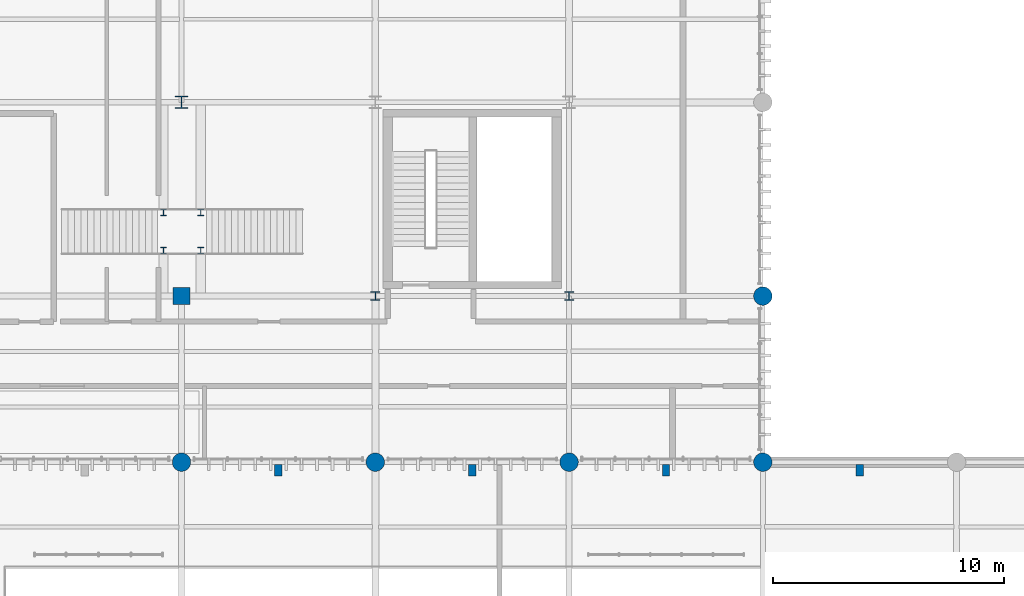
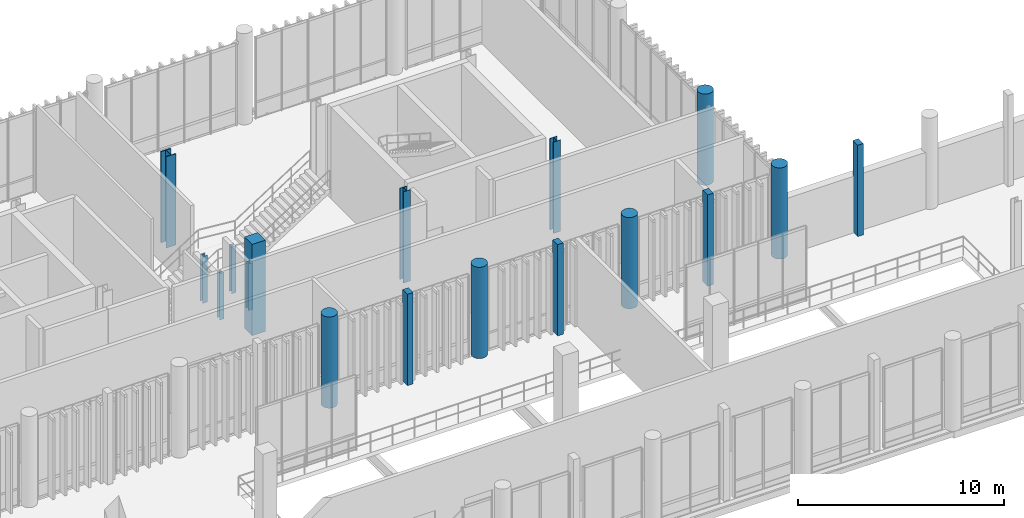
# One storey, part 7 of 128: 17 columns.
"""IFC4 building model written with IfcOpenShell, lengths in metres."""

from ifc_helpers import new_model, si_unit, direction, frame, origin_with_axes, origin_2d_with_axis, place, context, subcontext, project, spatial, rectangle, circle, i_section, extrude, material, material_profile, profile_set, type_object, element, save


model = new_model("IFC4")

# Units and contexts
model_context = context("Model", 3, precision=1e-05, world=origin_with_axes(), true_north=direction((0.0, 1.0)))
body_context = subcontext(model_context, "Body", "Model", "MODEL_VIEW")
ifc_project = project(units=[si_unit("LENGTHUNIT", "METRE"), si_unit("AREAUNIT", "SQUARE_METRE"), si_unit("VOLUMEUNIT", "CUBIC_METRE"), si_unit("PLANEANGLEUNIT", "RADIAN"), si_unit("MASSUNIT", "GRAM", prefix="KILO"), si_unit("THERMODYNAMICTEMPERATUREUNIT", "KELVIN")], contexts=[model_context])

# Site, building, storey
site_placement = place(None, origin_with_axes())
site = spatial("IfcSite", under=ifc_project, at=site_placement, CompositionType="ELEMENT")
building_placement = place(site_placement, origin_with_axes())
building = spatial("IfcBuilding", under=site, at=building_placement, Name="Montbau Bow Law Courts", CompositionType="ELEMENT")
storey_placement = place(building_placement, frame((0.0, 0.0, 5.4), z_axis=(0.0, 0.0, 1.0), x_axis=(1.0, 0.0, 0.0)))
storey = spatial("IfcBuildingStorey", under=building, at=storey_placement, Name="L01", CompositionType="ELEMENT", Elevation=5.4)

# Columns
ifc_material_1 = material(Name="Concrete CSA A23.1 f'c 40 MPa", Category="concrete")
ifc_material_profile_1 = material_profile(ifc_material_1, rectangle(XDim=0.32, YDim=0.48, at=origin_2d_with_axis()), Name="RC480X320", Category="Main", Priority=0)
ifc_profile_set_1 = profile_set([ifc_material_profile_1], Name="Concrete CSA A23.1 f'c 40 MPa")
column_type_1 = type_object("IfcColumnType", Name="C-PIL-02", PredefinedType="PILASTER", material=ifc_profile_set_1)
for number, where, z_axis, x_axis, name in (
    (1, (76.2, 38.65, 5.4), (0.0, 0.0, 1.0), (1.0, 0.0, 0.0), "PL-L01-S12:pil2_0036"),
    (2, (84.6, 38.65, 5.4), (0.0, 0.0, 1.0), (1.0, 0.0, 0.0), "PL-L01-S13:pil2_0039"),
    (3, (93.0, 38.65, 5.4), (0.0, 0.0, 1.0), (1.0, 0.0, 0.0), "PL-L01-S14:pil2_0042"),
    (4, (101.4, 38.65, 5.4), (0.0, 0.0, 1.0), (1.0, 0.0, 0.0), "PL-L01-S15:pil2_0045"),
):
    element("IfcColumn", number, at=place(None, frame(where, z_axis=z_axis, x_axis=x_axis)), inside=storey, type_object=column_type_1, Name=name, PredefinedType="PILASTER", context=body_context, shape_type="SweptSolid", body=[
        extrude(rectangle(XDim=0.32, YDim=0.48, at=origin_2d_with_axis()), origin_with_axes(), (0.0, 0.0, 1.0), 5.4),
    ])
ifc_material_profile_2 = material_profile(ifc_material_1, rectangle(XDim=0.75, YDim=0.75, at=origin_2d_with_axis()), Name="RC750X750", Category="Main", Priority=0)
ifc_profile_set_2 = profile_set([ifc_material_profile_2], Name="Concrete CSA A23.1 f'c 40 MPa")
column_type_2 = type_object("IfcColumnType", Name="C-RC-03", PredefinedType="COLUMN", material=ifc_profile_set_2)
column_1_placement = place(None, frame((72.0, 46.2, 5.4), z_axis=(0.0, 0.0, 1.0), x_axis=(1.0, 0.0, 0.0)))
element("IfcColumn", 5, at=column_1_placement, inside=storey, type_object=column_type_2, Name="C-L01-S0413:col2_0413", PredefinedType="COLUMN", context=body_context, shape_type="SweptSolid", body=[
    extrude(rectangle(XDim=0.75, YDim=0.75, at=origin_2d_with_axis()), origin_with_axes(), (0.0, 0.0, 1.0), 5.4),
])
ifc_material_profile_3 = material_profile(ifc_material_1, circle(Radius=0.4, at=origin_2d_with_axis()), Name="RC800D", Category="Main", Priority=0)
ifc_profile_set_3 = profile_set([ifc_material_profile_3], Name="Concrete CSA A23.1 f'c 40 MPa")
column_type_3 = type_object("IfcColumnType", Name="C-RC-07", PredefinedType="COLUMN", material=ifc_profile_set_3)
for number, where, z_axis, x_axis, name in (
    (6, (72.0, 39.0, 5.4), (0.0, 0.0, 1.0), (1.0, 0.0, 0.0), "C-L01-S0412:col2_0412"),
    (7, (80.4, 39.0, 5.4), (0.0, 0.0, 1.0), (1.0, 0.0, 0.0), "C-L01-S0418:col2_0418"),
    (8, (88.8, 39.0, 5.4), (0.0, 0.0, 1.0), (1.0, 0.0, 0.0), "C-L01-S0424:col2_0424"),
    (9, (97.2, 39.0, 5.4), (0.0, 0.0, 1.0), (1.0, 0.0, 0.0), "C-L01-S0429:col2_0429"),
    (10, (97.2, 46.2, 5.4), (0.0, 0.0, 1.0), (1.0, 0.0, 0.0), "C-L01-S0430:col2_0430"),
):
    element("IfcColumn", number, at=place(None, frame(where, z_axis=z_axis, x_axis=x_axis)), inside=storey, type_object=column_type_3, Name=name, PredefinedType="COLUMN", context=body_context, shape_type="SweptSolid", body=[
        extrude(circle(Radius=0.4, at=origin_2d_with_axis()), origin_with_axes(), (0.0, 0.0, 1.0), 5.4),
    ])
ifc_material_2 = material(Name="Steel CSA G40.21 Grade 350W (350 MPa)", Category="steel")
ifc_material_profile_4 = material_profile(ifc_material_2, i_section(OverallWidth=0.55, OverallDepth=0.55, WebThickness=0.025, FlangeThickness=0.042, at=origin_2d_with_axis()), Name="WWF550X420", Category="Main", Priority=0)
ifc_profile_set_4 = profile_set([ifc_material_profile_4], Name="Steel CSA G40.21 Grade 350W (350 MPa)")
column_type_4 = type_object("IfcColumnType", Name="C-STL-01", PredefinedType="COLUMN", material=ifc_profile_set_4)
column_2_placement = place(None, frame((72.0, 54.6, 5.4), z_axis=(0.0, 0.0, 1.0), x_axis=(1.0, 0.0, 0.0)))
element("IfcColumn", 11, at=column_2_placement, inside=storey, type_object=column_type_4, Name="C-L01-S0414:col2_0414", PredefinedType="COLUMN", context=body_context, shape_type="SweptSolid", body=[
    extrude(i_section(OverallWidth=0.55, OverallDepth=0.55, WebThickness=0.025, FlangeThickness=0.042, at=origin_2d_with_axis()), origin_with_axes(), (0.0, 0.0, 1.0), 5.4),
])
ifc_material_profile_5 = material_profile(ifc_material_2, i_section(OverallWidth=0.395, OverallDepth=0.38, WebThickness=0.0189, FlangeThickness=0.0302, at=origin_2d_with_axis()), Name="W360X237", Category="Main", Priority=0)
ifc_profile_set_5 = profile_set([ifc_material_profile_5], Name="Steel CSA G40.21 Grade 350W (350 MPa)")
column_type_5 = type_object("IfcColumnType", Name="C-STL-03", PredefinedType="COLUMN", material=ifc_profile_set_5)
for number, where, z_axis, x_axis, name in (
    (12, (80.4, 46.2, 5.4), (0.0, 0.0, 1.0), (1.0, 0.0, 0.0), "C-L01-S0419:col2_0419"),
    (13, (88.8, 46.2, 5.4), (0.0, 0.0, 1.0), (1.0, 0.0, 0.0), "C-L01-S0425:col2_0425"),
):
    element("IfcColumn", number, at=place(None, frame(where, z_axis=z_axis, x_axis=x_axis)), inside=storey, type_object=column_type_5, Name=name, PredefinedType="COLUMN", context=body_context, shape_type="SweptSolid", body=[
        extrude(i_section(OverallWidth=0.395, OverallDepth=0.38, WebThickness=0.0189, FlangeThickness=0.0302, at=origin_2d_with_axis()), origin_with_axes(), (0.0, 0.0, 1.0), 5.4),
    ])
ifc_material_profile_6 = material_profile(ifc_material_2, i_section(OverallWidth=0.256, OverallDepth=0.26, WebThickness=0.0107, FlangeThickness=0.0173, at=origin_2d_with_axis()), Name="W250X89", Category="Main", Priority=0)
ifc_profile_set_6 = profile_set([ifc_material_profile_6], Name="Steel CSA G40.21 Grade 350W (350 MPa)")
column_type_6 = type_object("IfcColumnType", Name="C-STL-08", PredefinedType="COLUMN", material=ifc_profile_set_6)
for number, where, z_axis, x_axis, name in (
    (14, (71.22, 48.18, 5.16), (0.0, 0.0, 1.0), (1.0, 0.0, 0.0), "C-ST-L01-29:col2_1148"),
    (15, (71.22, 49.82, 5.16), (0.0, 0.0, 1.0), (1.0, 0.0, 0.0), "C-ST-L01-30:col2_1149"),
    (16, (72.83, 48.18, 5.16), (0.0, 0.0, 1.0), (1.0, 0.0, 0.0), "C-ST-L01-31:col2_1150"),
    (17, (72.83, 49.82, 5.16), (0.0, 0.0, 1.0), (1.0, 0.0, 0.0), "C-ST-L01-32:col2_1151"),
):
    element("IfcColumn", number, at=place(None, frame(where, z_axis=z_axis, x_axis=x_axis)), inside=storey, type_object=column_type_6, Name=name, PredefinedType="COLUMN", context=body_context, shape_type="SweptSolid", body=[
        extrude(i_section(OverallWidth=0.256, OverallDepth=0.26, WebThickness=0.0107, FlangeThickness=0.0173, at=origin_2d_with_axis()), origin_with_axes(), (0.0, 0.0, 1.0), 2.76),
    ])

save(model, "model.ifc")
